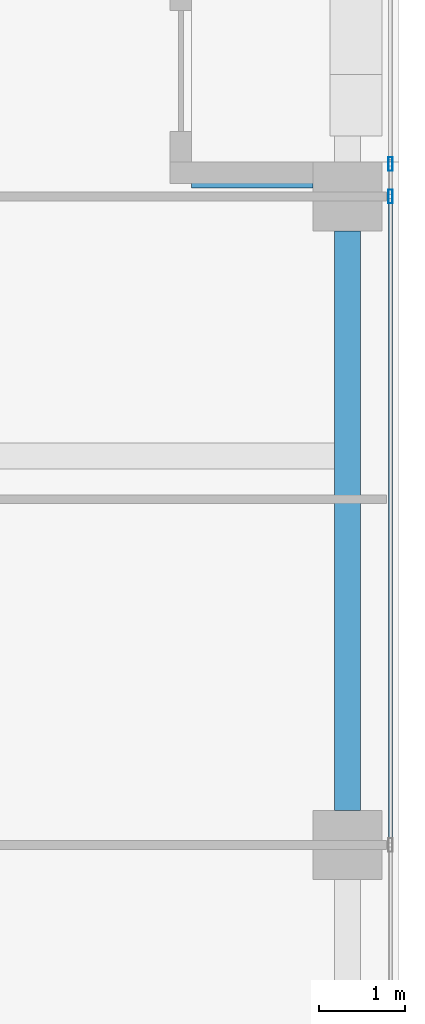
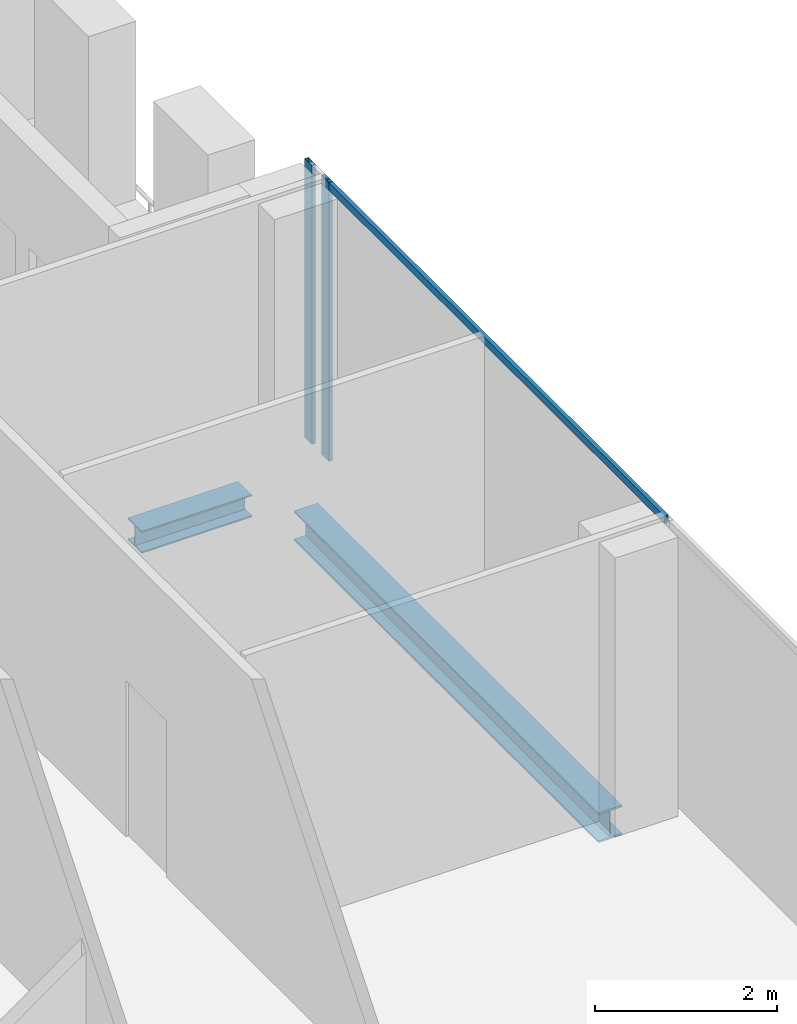
# One storey, part 12 of 29: 3 members, 2 beams, 1 element without a shape of its own.
"""IFC4 building model written with IfcOpenShell, lengths in metres."""

from ifc_helpers import new_model, si_unit, direction, frame, origin, origin_2d, place, context, subcontext, project, spatial, hollow_rectangle, i_section, extrude, source, transform, mapped, material, material_profile, profile_set, type_object, element, aggregate, save


model = new_model("IFC4")

# Units and contexts
model_context = context("Model", 3, precision=1e-05, world=origin(), true_north=direction((0.0, 1.0)))
body_context = subcontext(model_context, "Body", "Model", "MODEL_VIEW")
ifc_project = project(units=[si_unit("LENGTHUNIT", "METRE"), si_unit("AREAUNIT", "SQUARE_METRE"), si_unit("VOLUMEUNIT", "CUBIC_METRE"), si_unit("PLANEANGLEUNIT", "RADIAN"), si_unit("MASSUNIT", "GRAM", prefix="KILO")], contexts=[model_context])

# Site, building, storey
site_placement = place(None, origin())
site = spatial("IfcSite", under=ifc_project, at=site_placement, CompositionType="ELEMENT")
building_placement = place(site_placement, origin())
building = spatial("IfcBuilding", under=site, at=building_placement, Name="Khomas Fold Tower", CompositionType="ELEMENT")
storey_placement = place(building_placement, frame((0.0, 0.0, 314.199951171875)))
storey = spatial("IfcBuildingStorey", under=building, at=storey_placement, Name="L71", CompositionType="ELEMENT", Elevation=314.199951171875)

# Beams
ifc_material_1 = material(Name="Steel S355", Category="steel")
ifc_material_profile_1 = material_profile(ifc_material_1, i_section(OverallWidth=0.300048828125, OverallDepth=0.39990234375, WebThickness=0.013427734375, FlangeThickness=0.02392578125, at=origin_2d()), Name="HE 400 B")
ifc_profile_set_1 = profile_set([ifc_material_profile_1], Name="Steel S355")
beam_type_1 = type_object("IfcBeamType", Name="HE 400 B spandrel SB5", PredefinedType="SPANDREL", material=ifc_profile_set_1)
shared_shape_1 = source(origin(), body_context, "Body", "SweptSolid", [
    extrude(i_section(OverallWidth=0.300048828125, OverallDepth=0.39990234375, WebThickness=0.013427734375, FlangeThickness=0.02392578125, at=origin_2d()), origin(), (0.0, 0.0, 1.0), 6.7001953125),
])
beam_1_placement = place(storey_placement, frame((47.39990234375, 27.39990234375, -0.449951171875), z_axis=(0.0, 1.0, 0.0), x_axis=(-1.0, 0.0, 0.0)))
element("IfcBeam", 1, at=beam_1_placement, inside=storey, type_object=beam_type_1, Name="SB5", PredefinedType="SPANDREL", context=body_context, shape_type="MappedRepresentation", body=[
    mapped(shared_shape_1, transform((0.0, 0.0, 0.0))),
])
ifc_material_2 = material(Name="Steel S355", Category="steel")
ifc_material_profile_2 = material_profile(ifc_material_2, i_section(OverallWidth=0.300048828125, OverallDepth=0.300048828125, WebThickness=0.010986328125, FlangeThickness=0.01904296875, at=origin_2d()), Name="HE 300 B")
ifc_profile_set_2 = profile_set([ifc_material_profile_2], Name="Steel S355")
beam_type_2 = type_object("IfcBeamType", Name="HE 300 B beam BB1", PredefinedType="BEAM", material=ifc_profile_set_2)
shared_shape_2 = source(origin(), body_context, "Body", "SweptSolid", [
    extrude(i_section(OverallWidth=0.300048828125, OverallDepth=0.300048828125, WebThickness=0.010986328125, FlangeThickness=0.01904296875, at=origin_2d()), origin(), (0.0, 0.0, 1.0), 1.39990234375),
])
beam_2_placement = place(storey_placement, frame((45.60009765625, 34.75, -0.39990234375), z_axis=(1.0, 0.0, 0.0), x_axis=(0.0, 1.0, 0.0)))
element("IfcBeam", 2, at=beam_2_placement, inside=storey, type_object=beam_type_2, Name="BB1", PredefinedType="BEAM", context=body_context, shape_type="MappedRepresentation", body=[
    mapped(shared_shape_2, transform((0.0, 0.0, 0.0))),
])

# Curtain wall, members
ifc_material_3 = material(Name="Aluminium framed double glazing", Category="aluminium")
curtain_wall_type = type_object("IfcCurtainWallType", Name="SK-Unitised clear-glass wall, upper floors CW3", PredefinedType="NOTDEFINED", material=ifc_material_3)
curtain_wall_placement = place(storey_placement, origin())
curtain_wall = element("IfcCurtainWall", 3, at=curtain_wall_placement, inside=storey, type_object=curtain_wall_type, Name="CW3 run L71 03-0", PredefinedType="NOTDEFINED")
ifc_material_4 = material(Name="Aluminium", Category="aluminium")
ifc_material_profile_3 = material_profile(ifc_material_4, hollow_rectangle(XDim=0.050048828125, YDim=0.159912109375, WallThickness=0.00390625, at=origin_2d()), Name="SK-Unitised clear-glass wall, upper floors mullion CW3-M")
ifc_profile_set_3 = profile_set([ifc_material_profile_3], Name="Aluminium")
member_type_1 = type_object("IfcMemberType", Name="SK-Unitised clear-glass wall, upper floors mullion CW3-M", PredefinedType="MULLION", material=ifc_profile_set_3)
shared_shape_3 = source(origin(), body_context, "Body", "SweptSolid", [
    extrude(hollow_rectangle(XDim=0.050048828125, YDim=0.159912109375, WallThickness=0.00390625, at=origin_2d()), origin(), (0.0, 0.0, 1.0), 3.75),
])
member_1_placement = place(storey_placement, frame((47.89990234375, 34.5, 0.0), z_axis=(0.0, 0.0, 1.0), x_axis=(-1.0, 0.0, 0.0)))
member_1 = element("IfcMember", 4, at=member_1_placement, type_object=member_type_1, Name="CW3 mullion 5", PredefinedType="MULLION", context=body_context, shape_type="MappedRepresentation", body=[
    mapped(shared_shape_3, transform((0.0, 0.0, 0.0))),
])
member_2_placement = place(storey_placement, frame((47.89990234375, 34.875, 0.0), z_axis=(0.0, 0.0, 1.0), x_axis=(-1.0, 0.0, 0.0)))
member_2 = element("IfcMember", 5, at=member_2_placement, type_object=member_type_1, Name="CW3 mullion 6", PredefinedType="MULLION", context=body_context, shape_type="MappedRepresentation", body=[
    mapped(shared_shape_3, transform((0.0, 0.0, 0.0))),
])
ifc_material_5 = material(Name="Aluminium", Category="aluminium")
ifc_material_profile_4 = material_profile(ifc_material_5, hollow_rectangle(XDim=0.050048828125, YDim=0.10009765625, WallThickness=0.00390625, at=origin_2d()), Name="SK-Unitised clear-glass wall, upper floors transom CW3-T")
ifc_profile_set_4 = profile_set([ifc_material_profile_4], Name="Aluminium")
member_type_2 = type_object("IfcMemberType", Name="SK-Unitised clear-glass wall, upper floors transom CW3-T", PredefinedType="USERDEFINED", material=ifc_profile_set_4)
shared_shape_4 = source(origin(), body_context, "Body", "SweptSolid", [
    extrude(hollow_rectangle(XDim=0.050048828125, YDim=0.10009765625, WallThickness=0.00390625, at=origin_2d()), origin(), (0.0, 0.0, 1.0), 7.4501953125),
])
member_3_placement = place(storey_placement, frame((47.89990234375, 27.02490234375, 3.699951171875), z_axis=(0.0, 1.0, 0.0), x_axis=(-1.0, 0.0, 0.0)))
member_3 = element("IfcMember", 6, at=member_3_placement, type_object=member_type_2, Name="CW3 transom 4", ObjectType="TRANSOM", PredefinedType="USERDEFINED", context=body_context, shape_type="MappedRepresentation", body=[
    mapped(shared_shape_4, transform((0.0, 0.0, 0.0))),
])
aggregate(curtain_wall, [member_1, member_2, member_3])

save(model, "model.ifc")
